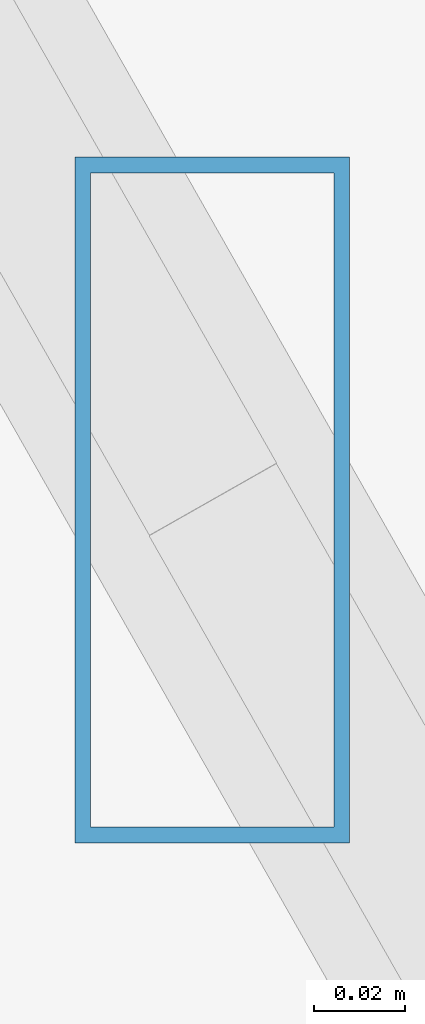
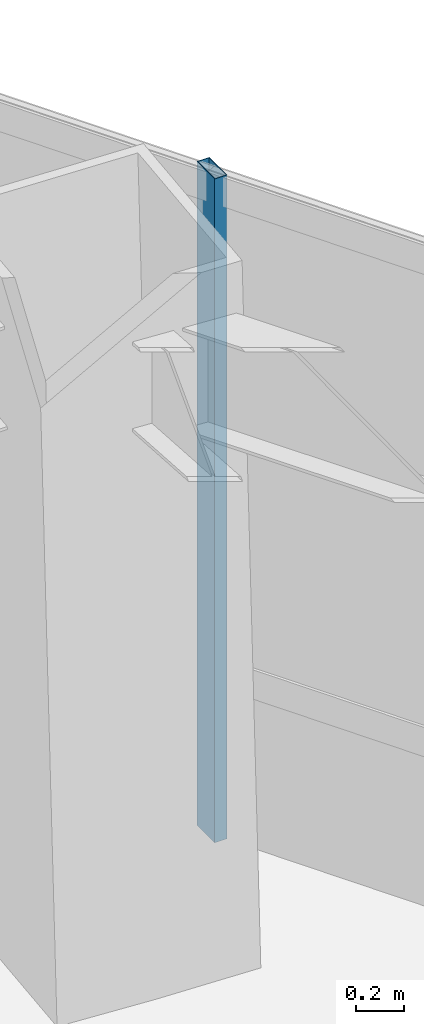
# One storey, part 34 of 41: 1 member, 1 element without a shape of its own.
"""IFC4 building model written with IfcOpenShell, lengths in metres."""

from ifc_helpers import new_model, si_unit, direction, frame, origin, origin_2d, place, context, subcontext, project, spatial, hollow_rectangle, extrude, source, transform, mapped, material, material_profile, profile_set, type_object, type_shapes, element, aggregate, save


model = new_model("IFC4")

# Units and contexts
model_context = context("Model", 3, precision=1e-05, world=origin(), true_north=direction((0.0, 1.0)))
body_context = subcontext(model_context, "Body", "Model", "MODEL_VIEW")
ifc_project = project(units=[si_unit("LENGTHUNIT", "METRE"), si_unit("AREAUNIT", "SQUARE_METRE"), si_unit("VOLUMEUNIT", "CUBIC_METRE"), si_unit("PLANEANGLEUNIT", "RADIAN"), si_unit("MASSUNIT", "GRAM", prefix="KILO")], contexts=[model_context])

# Site, building, storey
site_placement = place(None, origin())
site = spatial("IfcSite", under=ifc_project, at=site_placement, CompositionType="ELEMENT")
building_placement = place(site_placement, origin())
building = spatial("IfcBuilding", under=site, at=building_placement, Name="Caelisora Broadcast Tower", CompositionType="ELEMENT")
storey_placement = place(building_placement, frame((0.0, 0.0, 135.449951171875)))
storey = spatial("IfcBuildingStorey", under=building, at=storey_placement, Name="L35", CompositionType="ELEMENT", Elevation=135.449951171875)

# Curtain wall, member
ifc_material_1 = material(Name="Unitised Aluminium and Low-E Glass Curtain Wall", Category="glass")
curtain_wall_type = type_object("IfcCurtainWallType", Name="CW-Z3", PredefinedType="NOTDEFINED", material=ifc_material_1)
curtain_wall_placement = place(storey_placement, origin())
curtain_wall = element("IfcCurtainWall", 1, at=curtain_wall_placement, inside=storey, type_object=curtain_wall_type, Name="L35 curtain wall CW-Z3", PredefinedType="NOTDEFINED")
ifc_material_2 = material(Name="Aluminium 6063-T6 Anodised Terracotta Bronze", Category="aluminium")
ifc_material_profile = material_profile(ifc_material_2, hollow_rectangle(XDim=0.06005859375, YDim=0.14990234375, WallThickness=0.00341796875, at=origin_2d()), Name="Aluminium 6063-T6 Anodised Terracotta Bronze")
ifc_profile_set = profile_set([ifc_material_profile], Name="Aluminium 6063-T6 Anodised Terracotta Bronze")
member_type = type_object("IfcMemberType", Name="CWM-03", PredefinedType="MULLION", material=ifc_profile_set)
shared_shape = source(origin(), body_context, "Body", "SweptSolid", [
    extrude(hollow_rectangle(XDim=0.06005859375, YDim=0.14990234375, WallThickness=0.00341796875, at=origin_2d()), origin(), (0.0, 0.0, 1.0), 3.400146484375),
])
type_shapes(member_type, [shared_shape])
member_placement = place(storey_placement, frame((45.501953125, 46.93115234375, 0.0), z_axis=(0.0, 0.0, 1.0), x_axis=(1.0, 0.0, 0.0)))
member = element("IfcMember", 2, at=member_placement, type_object=member_type, Name="L35-CW-B01 mullion #1", PredefinedType="MULLION", context=body_context, shape_type="MappedRepresentation", body=[
    mapped(shared_shape, transform((0.0, 0.0, 0.0), scale=1.0)),
])
aggregate(curtain_wall, [member])

save(model, "model.ifc")
